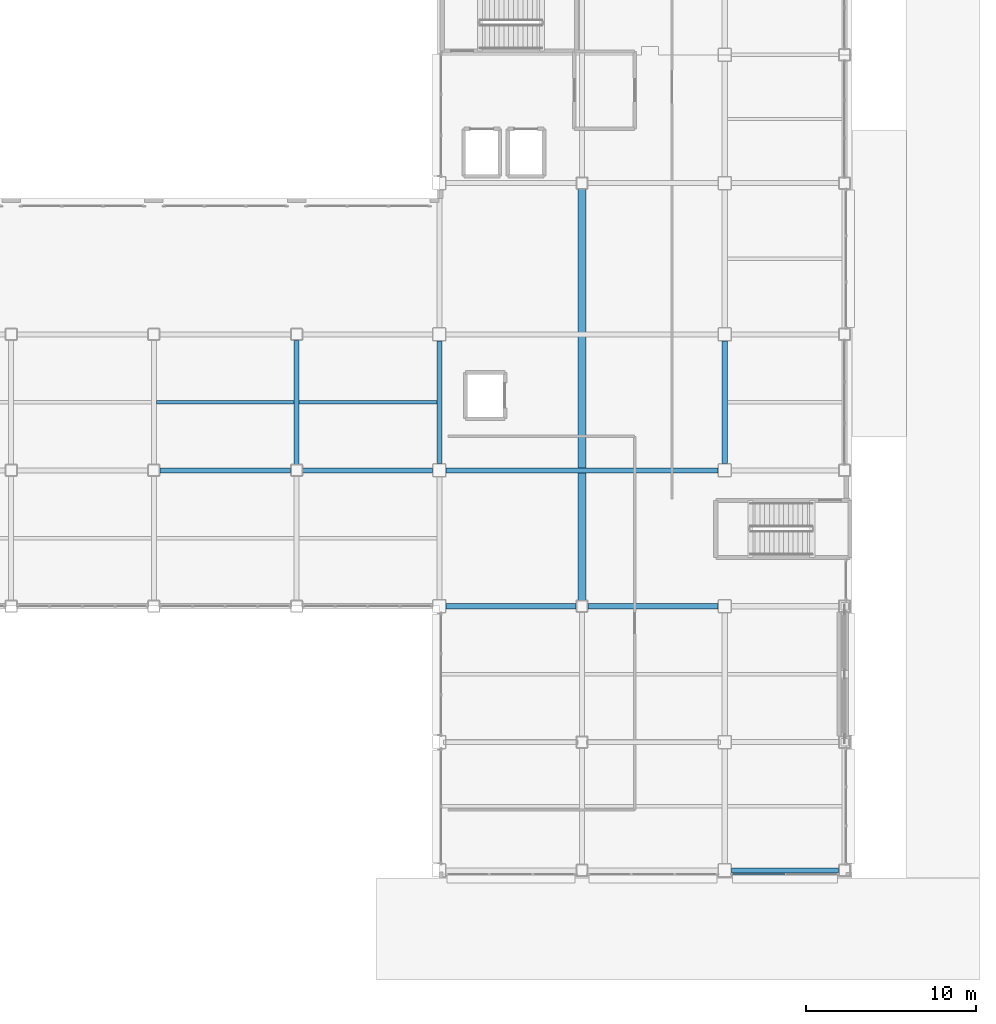
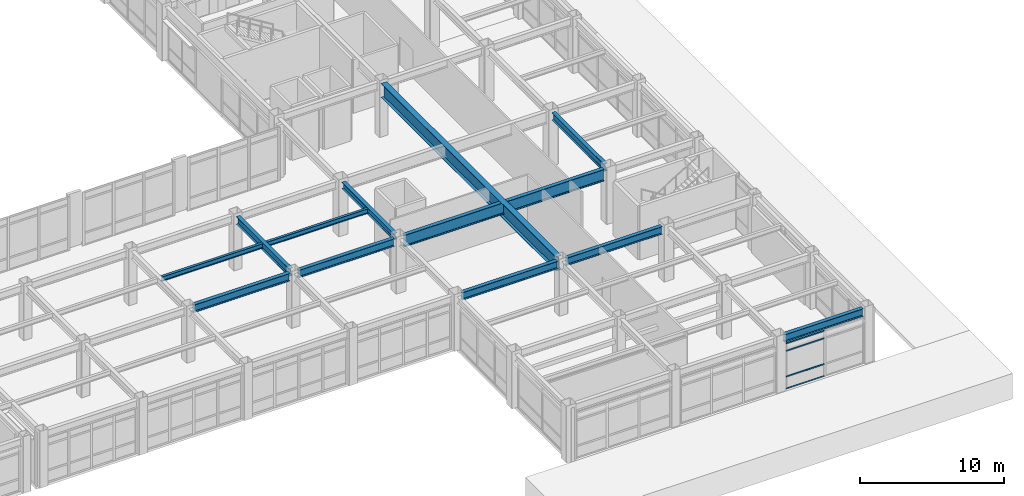
# One storey, part 97 of 172: 12 beams, 4 members, 1 element without a shape of its own.
"""IFC4 building model written with IfcOpenShell, lengths in metres."""

from ifc_helpers import new_model, si_unit, direction, frame, origin, origin_2d, place, context, subcontext, project, spatial, hollow_rectangle, i_section, extrude, material, layer, layer_set, material_profile, profile_set, type_object, element, aggregate, save


model = new_model("IFC4")

# Units and contexts
model_context = context("Model", 3, precision=1e-05, world=origin(), true_north=direction((0.0, 1.0)))
body_context = subcontext(model_context, "Body", "Model", "MODEL_VIEW")
ifc_project = project(units=[si_unit("LENGTHUNIT", "METRE"), si_unit("AREAUNIT", "SQUARE_METRE"), si_unit("VOLUMEUNIT", "CUBIC_METRE"), si_unit("PLANEANGLEUNIT", "RADIAN"), si_unit("MASSUNIT", "GRAM", prefix="KILO")], contexts=[model_context])

# Site, building, storey
site_placement = place(None, origin())
site = spatial("IfcSite", under=ifc_project, at=site_placement, CompositionType="ELEMENT")
building_placement = place(site_placement, origin())
building = spatial("IfcBuilding", under=site, at=building_placement, Name="Kazehara Bluff Congress Hotel", CompositionType="ELEMENT")
storey_placement = place(building_placement, frame((0.0, 0.0, 5.39990234375)))
storey = spatial("IfcBuildingStorey", under=building, at=storey_placement, Name="L01", CompositionType="ELEMENT", Elevation=5.39990234375)

# Curtain wall, members
ifc_material_1 = material(Name="Anodised aluminium", Category="aluminium")
ifc_layer = layer(ifc_material_1, 0.159912109375)
ifc_layer_set = layer_set([ifc_layer], Name="Anodised aluminium")
curtain_wall_type = type_object("IfcCurtainWallType", Name="TP-CW-112", PredefinedType="NOTDEFINED", material=ifc_layer_set)
curtain_wall_placement = place(storey_placement, origin())
curtain_wall = element("IfcCurtainWall", 1, at=curtain_wall_placement, inside=storey, type_object=curtain_wall_type, Name="L01 curtain wall CW-112 CW-ENC-V5-L01-16405-22", PredefinedType="NOTDEFINED")
ifc_material_2 = material(Name="Anodised aluminium", Category="aluminium")
ifc_material_profile_1 = material_profile(ifc_material_2, hollow_rectangle(XDim=0.06005859375, YDim=0.1201171875, WallThickness=0.00390625, InnerFilletRadius=0.00390625, OuterFilletRadius=0.008056640625, at=origin_2d()))
ifc_profile_set_1 = profile_set([ifc_material_profile_1], Name="Anodised aluminium")
member_type = type_object("IfcMemberType", Name="TP-CWT-01", PredefinedType="USERDEFINED", material=ifc_profile_set_1)
member_1_placement = place(storey_placement, frame((164.02001953125, 0.219970703125, 0.030029296875), z_axis=(-1.0, 0.0, 0.0), x_axis=(0.0, -1.0, 0.0)))
member_1 = element("IfcMember", 2, at=member_1_placement, type_object=member_type, Name="CW-112 transom 2.1", ObjectType="TRANSOM", PredefinedType="USERDEFINED", context=body_context, shape_type="SweptSolid", body=[
    extrude(hollow_rectangle(XDim=0.06005859375, YDim=0.1201171875, WallThickness=0.00390625, InnerFilletRadius=0.00390625, OuterFilletRadius=0.008056640625, at=origin_2d()), origin(), (0.0, 0.0, 1.0), 3.06005859375),
])
member_2_placement = place(storey_placement, frame((164.02001953125, 0.219970703125, 1.050048828125), z_axis=(-1.0, 0.0, 0.0), x_axis=(0.0, -1.0, 0.0)))
member_2 = element("IfcMember", 3, at=member_2_placement, type_object=member_type, Name="CW-112 transom 2.2", ObjectType="TRANSOM", PredefinedType="USERDEFINED", context=body_context, shape_type="SweptSolid", body=[
    extrude(hollow_rectangle(XDim=0.06005859375, YDim=0.1201171875, WallThickness=0.00390625, InnerFilletRadius=0.00390625, OuterFilletRadius=0.008056640625, at=origin_2d()), origin(), (0.0, 0.0, 1.0), 3.06005859375),
])
member_3_placement = place(storey_placement, frame((164.02001953125, 0.219970703125, 3.22509765625), z_axis=(-1.0, 0.0, 0.0), x_axis=(0.0, -1.0, 0.0)))
member_3 = element("IfcMember", 4, at=member_3_placement, type_object=member_type, Name="CW-112 transom 2.3", ObjectType="TRANSOM", PredefinedType="USERDEFINED", context=body_context, shape_type="SweptSolid", body=[
    extrude(hollow_rectangle(XDim=0.06005859375, YDim=0.1201171875, WallThickness=0.00390625, InnerFilletRadius=0.00390625, OuterFilletRadius=0.008056640625, at=origin_2d()), origin(), (0.0, 0.0, 1.0), 3.06005859375),
])
member_4_placement = place(storey_placement, frame((164.02001953125, 0.219970703125, 3.84521484375), z_axis=(-1.0, 0.0, 0.0), x_axis=(0.0, -1.0, 0.0)))
member_4 = element("IfcMember", 5, at=member_4_placement, type_object=member_type, Name="CW-112 transom 2.4", ObjectType="TRANSOM", PredefinedType="USERDEFINED", context=body_context, shape_type="SweptSolid", body=[
    extrude(hollow_rectangle(XDim=0.06005859375, YDim=0.1201171875, WallThickness=0.00390625, InnerFilletRadius=0.00390625, OuterFilletRadius=0.008056640625, at=origin_2d()), origin(), (0.0, 0.0, 1.0), 3.06005859375),
])
aggregate(curtain_wall, [member_1, member_2, member_3, member_4])

# Beams
ifc_material_3 = material(Name="Steel SN490B", Category="steel")
ifc_material_profile_2 = material_profile(ifc_material_3, i_section(OverallWidth=0.300048828125, OverallDepth=0.64990234375, WebThickness=0.011962890625, FlangeThickness=0.02001953125, FilletRadius=0.012939453125, at=origin_2d()))
ifc_profile_set_2 = profile_set([ifc_material_profile_2], Name="Steel SN490B")
beam_type_1 = type_object("IfcBeamType", Name="TP-G-03", PredefinedType="BEAM", material=ifc_profile_set_2)
beam_1_placement = place(storey_placement, frame((135.300048828125, 24.35009765625, 4.22509765625), z_axis=(0.0, 1.0, 0.0), x_axis=(-1.0, 0.0, 0.0)))
element("IfcBeam", 6, at=beam_1_placement, inside=storey, type_object=beam_type_1, Name="L01 girder G-03 228", PredefinedType="BEAM", context=body_context, shape_type="SweptSolid", body=[
    extrude(i_section(OverallWidth=0.300048828125, OverallDepth=0.64990234375, WebThickness=0.011962890625, FlangeThickness=0.02001953125, FilletRadius=0.012939453125, at=origin_2d()), origin(), (0.0, 0.0, 1.0), 7.2998046875),
])
beam_2_placement = place(storey_placement, frame((160.5, 24.39990234375, 4.22509765625), z_axis=(0.0, 1.0, 0.0), x_axis=(-1.0, 0.0, 0.0)))
element("IfcBeam", 7, at=beam_2_placement, inside=storey, type_object=beam_type_1, Name="L01 girder G-03 251", PredefinedType="BEAM", context=body_context, shape_type="SweptSolid", body=[
    extrude(i_section(OverallWidth=0.300048828125, OverallDepth=0.64990234375, WebThickness=0.011962890625, FlangeThickness=0.02001953125, FilletRadius=0.012939453125, at=origin_2d()), origin(), (0.0, 0.0, 1.0), 7.2001953125),
])
beam_3_placement = place(storey_placement, frame((160.89990234375, 0.449951171875, 4.22509765625), z_axis=(1.0, 0.0, 0.0), x_axis=(0.0, 1.0, 0.0)))
element("IfcBeam", 8, at=beam_3_placement, inside=storey, type_object=beam_type_1, Name="L01 girder G-03 273", PredefinedType="BEAM", context=body_context, shape_type="SweptSolid", body=[
    extrude(i_section(OverallWidth=0.300048828125, OverallDepth=0.64990234375, WebThickness=0.011962890625, FlangeThickness=0.02001953125, FilletRadius=0.012939453125, at=origin_2d()), origin(), (0.0, 0.0, 1.0), 6.300048828125),
])
beam_4_placement = place(storey_placement, frame((144.10009765625, 16.0, 4.22509765625), z_axis=(1.0, 0.0, 0.0), x_axis=(0.0, 1.0, 0.0)))
element("IfcBeam", 9, at=beam_4_placement, inside=storey, type_object=beam_type_1, Name="L01 girder G-03 281", PredefinedType="BEAM", context=body_context, shape_type="SweptSolid", body=[
    extrude(i_section(OverallWidth=0.300048828125, OverallDepth=0.64990234375, WebThickness=0.011962890625, FlangeThickness=0.02001953125, FilletRadius=0.012939453125, at=origin_2d()), origin(), (0.0, 0.0, 1.0), 7.64990234375),
])
beam_5_placement = place(storey_placement, frame((152.449951171875, 16.0, 4.22509765625), z_axis=(1.0, 0.0, 0.0), x_axis=(0.0, 1.0, 0.0)))
element("IfcBeam", 10, at=beam_5_placement, inside=storey, type_object=beam_type_1, Name="L01 girder G-03 282", PredefinedType="BEAM", context=body_context, shape_type="SweptSolid", body=[
    extrude(i_section(OverallWidth=0.300048828125, OverallDepth=0.64990234375, WebThickness=0.011962890625, FlangeThickness=0.02001953125, FilletRadius=0.012939453125, at=origin_2d()), origin(), (0.0, 0.0, 1.0), 7.650146484375),
])
beam_6_placement = place(storey_placement, frame((127.25, 24.0, 4.22509765625), z_axis=(1.0, 0.0, 0.0), x_axis=(0.0, 1.0, 0.0)))
element("IfcBeam", 11, at=beam_6_placement, inside=storey, type_object=beam_type_1, Name="L01 girder G-03 286", PredefinedType="BEAM", context=body_context, shape_type="SweptSolid", body=[
    extrude(i_section(OverallWidth=0.300048828125, OverallDepth=0.64990234375, WebThickness=0.011962890625, FlangeThickness=0.02001953125, FilletRadius=0.012939453125, at=origin_2d()), origin(), (0.0, 0.0, 1.0), 7.699951171875),
])
beam_7_placement = place(storey_placement, frame((135.64990234375, 24.0, 4.22509765625), z_axis=(1.0, 0.0, 0.0), x_axis=(0.0, 1.0, 0.0)))
element("IfcBeam", 12, at=beam_7_placement, inside=storey, type_object=beam_type_1, Name="L01 girder G-03 287", PredefinedType="BEAM", context=body_context, shape_type="SweptSolid", body=[
    extrude(i_section(OverallWidth=0.300048828125, OverallDepth=0.64990234375, WebThickness=0.011962890625, FlangeThickness=0.02001953125, FilletRadius=0.012939453125, at=origin_2d()), origin(), (0.0, 0.0, 1.0), 7.650146484375),
])
ifc_material_4 = material(Name="Steel SN490B", Category="steel")
ifc_material_profile_3 = material_profile(ifc_material_4, i_section(OverallWidth=0.300048828125, OverallDepth=1.0, WebThickness=0.01611328125, FlangeThickness=0.028076171875, FilletRadius=0.02197265625, at=origin_2d()))
ifc_profile_set_3 = profile_set([ifc_material_profile_3], Name="Steel SN490B")
beam_type_2 = type_object("IfcBeamType", Name="TP-G-09", PredefinedType="BEAM", material=ifc_profile_set_3)
beam_8_placement = place(storey_placement, frame((144.10009765625, 24.0, 4.050048828125), z_axis=(1.0, 0.0, 0.0), x_axis=(0.0, 1.0, 0.0)))
element("IfcBeam", 13, at=beam_8_placement, inside=storey, type_object=beam_type_2, Name="L01 girder G-09 288", PredefinedType="BEAM", context=body_context, shape_type="SweptSolid", body=[
    extrude(i_section(OverallWidth=0.300048828125, OverallDepth=1.0, WebThickness=0.01611328125, FlangeThickness=0.028076171875, FilletRadius=0.02197265625, at=origin_2d()), origin(), (0.0, 0.0, 1.0), 16.0),
])
ifc_material_5 = material(Name="Steel SN490B", Category="steel")
ifc_material_profile_4 = material_profile(ifc_material_5, i_section(OverallWidth=0.449951171875, OverallDepth=1.199951171875, WebThickness=0.02001953125, FlangeThickness=0.031982421875, at=origin_2d()))
ifc_profile_set_4 = profile_set([ifc_material_profile_4], Name="Steel SN490B")
beam_type_3 = type_object("IfcBeamType", Name="TP-G-10", PredefinedType="BEAM", material=ifc_profile_set_4)
beam_9_placement = place(storey_placement, frame((152.10009765625, 16.35009765625, 3.9501953125), z_axis=(0.0, 1.0, 0.0), x_axis=(-1.0, 0.0, 0.0)))
element("IfcBeam", 14, at=beam_9_placement, inside=storey, type_object=beam_type_3, Name="L01 girder G-10 244", PredefinedType="BEAM", context=body_context, shape_type="SweptSolid", body=[
    extrude(i_section(OverallWidth=0.449951171875, OverallDepth=1.199951171875, WebThickness=0.02001953125, FlangeThickness=0.031982421875, at=origin_2d()), origin(), (0.0, 0.0, 1.0), 24.199951171875),
])
ifc_material_6 = material(Name="Steel SN400B", Category="steel")
ifc_material_profile_5 = material_profile(ifc_material_6, i_section(OverallWidth=0.199951171875, OverallDepth=0.39990234375, WebThickness=0.008056640625, FlangeThickness=0.012939453125, FilletRadius=0.012939453125, at=origin_2d()))
ifc_profile_set_5 = profile_set([ifc_material_profile_5], Name="Steel SN400B")
beam_type_4 = type_object("IfcBeamType", Name="TP-J-03", PredefinedType="JOIST", material=ifc_profile_set_5)
beam_10_placement = place(storey_placement, frame((127.050048828125, 28.0, 4.35009765625), z_axis=(1.0, 0.0, 0.0), x_axis=(0.0, 1.0, 0.0)))
element("IfcBeam", 15, at=beam_10_placement, inside=storey, type_object=beam_type_4, Name="L01 secondary joist J-03 60", PredefinedType="JOIST", context=body_context, shape_type="SweptSolid", body=[
    extrude(i_section(OverallWidth=0.199951171875, OverallDepth=0.39990234375, WebThickness=0.008056640625, FlangeThickness=0.012939453125, FilletRadius=0.012939453125, at=origin_2d()), origin(), (0.0, 0.0, 1.0), 8.099853515625),
])
beam_11_placement = place(storey_placement, frame((135.449951171875, 28.0, 4.35009765625), z_axis=(1.0, 0.0, 0.0), x_axis=(0.0, 1.0, 0.0)))
element("IfcBeam", 16, at=beam_11_placement, inside=storey, type_object=beam_type_4, Name="L01 secondary joist J-03 62", PredefinedType="JOIST", context=body_context, shape_type="SweptSolid", body=[
    extrude(i_section(OverallWidth=0.199951171875, OverallDepth=0.39990234375, WebThickness=0.008056640625, FlangeThickness=0.012939453125, FilletRadius=0.012939453125, at=origin_2d()), origin(), (0.0, 0.0, 1.0), 8.10009765625),
])
ifc_material_7 = material(Name="Steel SN490B", Category="steel")
ifc_material_profile_6 = material_profile(ifc_material_7, i_section(OverallWidth=0.300048828125, OverallDepth=0.550048828125, WebThickness=0.010986328125, FlangeThickness=0.01806640625, FilletRadius=0.012939453125, at=origin_2d()))
ifc_profile_set_6 = profile_set([ifc_material_profile_6], Name="Steel SN490B")
beam_type_5 = type_object("IfcBeamType", Name="TP-SP-01", PredefinedType="SPANDREL", material=ifc_profile_set_6)
beam_12_placement = place(storey_placement, frame((143.699951171875, 24.39990234375, 4.275146484375), z_axis=(0.0, 1.0, 0.0), x_axis=(-1.0, 0.0, 0.0)))
element("IfcBeam", 17, at=beam_12_placement, inside=storey, type_object=beam_type_5, Name="L01 girder SP-01 232", PredefinedType="SPANDREL", context=body_context, shape_type="SweptSolid", body=[
    extrude(i_section(OverallWidth=0.300048828125, OverallDepth=0.550048828125, WebThickness=0.010986328125, FlangeThickness=0.01806640625, FilletRadius=0.012939453125, at=origin_2d()), origin(), (0.0, 0.0, 1.0), 7.2001953125),
])

save(model, "model.ifc")
